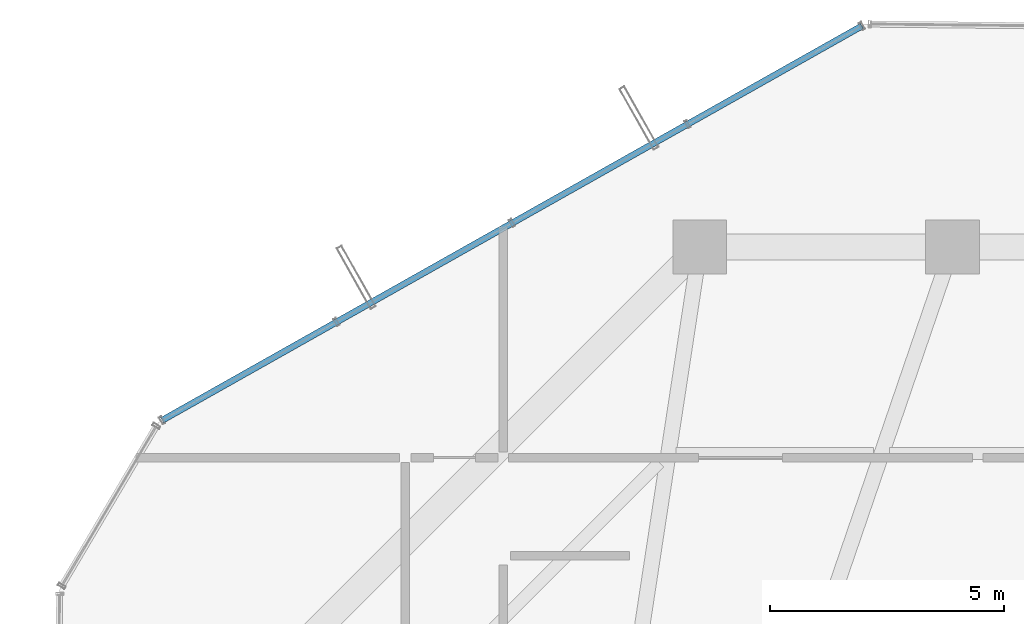
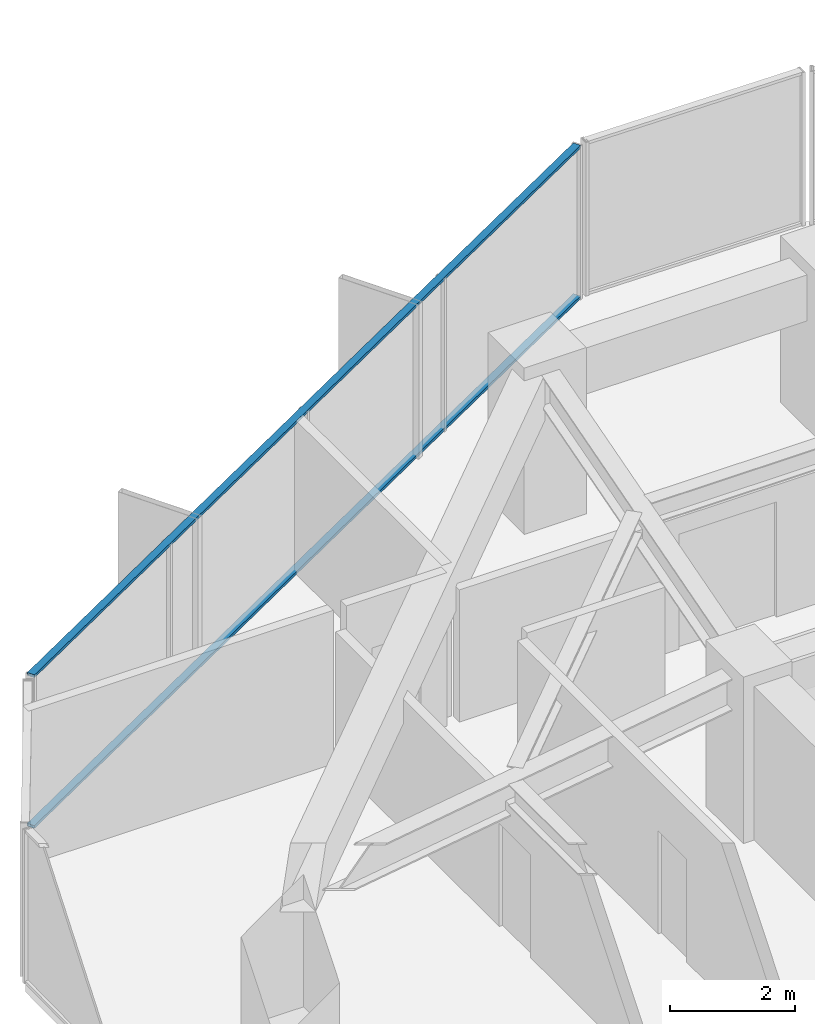
# One storey, part 18 of 30: 2 members, 1 element without a shape of its own.
"""IFC4 building model written with IfcOpenShell, lengths in metres."""

from ifc_helpers import new_model, si_unit, direction, frame, origin, origin_2d, place, context, subcontext, project, spatial, hollow_rectangle, extrude, source, transform, mapped, material, layer, layer_set, material_profile, profile_set, type_object, element, aggregate, save


model = new_model("IFC4")

# Units and contexts
model_context = context("Model", 3, precision=1e-05, world=origin(), true_north=direction((0.0, 1.0)))
body_context = subcontext(model_context, "Body", "Model", "MODEL_VIEW")
ifc_project = project(units=[si_unit("LENGTHUNIT", "METRE"), si_unit("AREAUNIT", "SQUARE_METRE"), si_unit("VOLUMEUNIT", "CUBIC_METRE"), si_unit("PLANEANGLEUNIT", "RADIAN"), si_unit("MASSUNIT", "GRAM", prefix="KILO")], contexts=[model_context])

# Site, building, storey
site_placement = place(None, origin())
site = spatial("IfcSite", under=ifc_project, at=site_placement, CompositionType="ELEMENT")
building_placement = place(site_placement, origin())
building = spatial("IfcBuilding", under=site, at=building_placement, Name="Veraguas Prism Commons", CompositionType="ELEMENT")
storey_placement = place(building_placement, frame((0.0, 0.0, 126.25)))
storey = spatial("IfcBuildingStorey", under=building, at=storey_placement, Name="L35", CompositionType="ELEMENT", Elevation=126.25)

# Curtain wall, members
ifc_material = material(Name="Anodised aluminium EN AW-6063 T6", Category="aluminium")
ifc_layer = layer(ifc_material, 0.169921875, Name="Unitised Flush Curtain Wall Zone 2", Category="aluminium")
ifc_layer_set = layer_set([ifc_layer], Name="Anodised aluminium EN AW-6063 T6")
curtain_wall_type = type_object("IfcCurtainWallType", Name="Unitised Flush Curtain Wall Zone 2", PredefinedType="NOTDEFINED", material=ifc_layer_set)
curtain_wall_placement = place(storey_placement, origin())
curtain_wall = element("IfcCurtainWall", 1, at=curtain_wall_placement, inside=storey, type_object=curtain_wall_type, Name="Tower Facade Curtain Wall L35-F2", PredefinedType="NOTDEFINED")
ifc_material_profile = material_profile(ifc_material, hollow_rectangle(XDim=0.054931640625, YDim=0.135009765625, WallThickness=0.0029296875, at=origin_2d()), Name="AL55X135X3")
ifc_profile_set = profile_set([ifc_material_profile], Name="Anodised aluminium EN AW-6063 T6")
member_type = type_object("IfcMemberType", Name="Curtain Wall Transom Standard AL 55x135x3", PredefinedType="USERDEFINED", material=ifc_profile_set)
shared_shape = source(origin(), body_context, "Body", "SweptSolid", [
    extrude(hollow_rectangle(XDim=0.054931640625, YDim=0.135009765625, WallThickness=0.0029296875, at=origin_2d()), origin(), (0.0, 0.0, 1.0), 17.17431640625),
])
member_1_placement = place(storey_placement, frame((22.064453125, 44.927490234375, 0.027587890625), z_axis=(-0.871213119587, -0.490904980888, 0.0), x_axis=(0.0, 0.0, 1.0)))
member_1 = element("IfcMember", 2, at=member_1_placement, type_object=member_type, Name="CW-Z2 Transom 1", ObjectType="TRANSOM", PredefinedType="USERDEFINED", context=body_context, shape_type="MappedRepresentation", body=[
    mapped(shared_shape, transform((0.0, 0.0, 0.0), scale=1.0)),
])
member_2_placement = place(storey_placement, frame((22.064453125, 44.927490234375, 2.972412109375), z_axis=(-0.871213119587, -0.490904980888, 0.0), x_axis=(0.0, 0.0, 1.0)))
member_2 = element("IfcMember", 3, at=member_2_placement, type_object=member_type, Name="CW-Z2 Transom 2", ObjectType="TRANSOM", PredefinedType="USERDEFINED", context=body_context, shape_type="MappedRepresentation", body=[
    mapped(shared_shape, transform((0.0, 0.0, 0.0), scale=1.0)),
])
aggregate(curtain_wall, [member_1, member_2])

save(model, "model.ifc")
